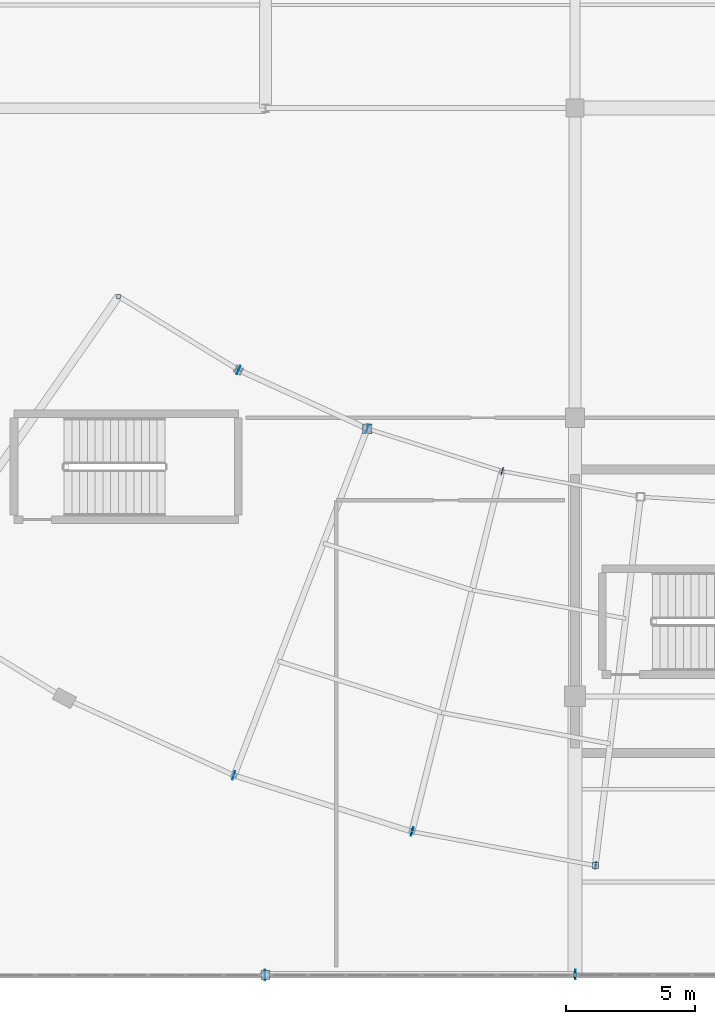
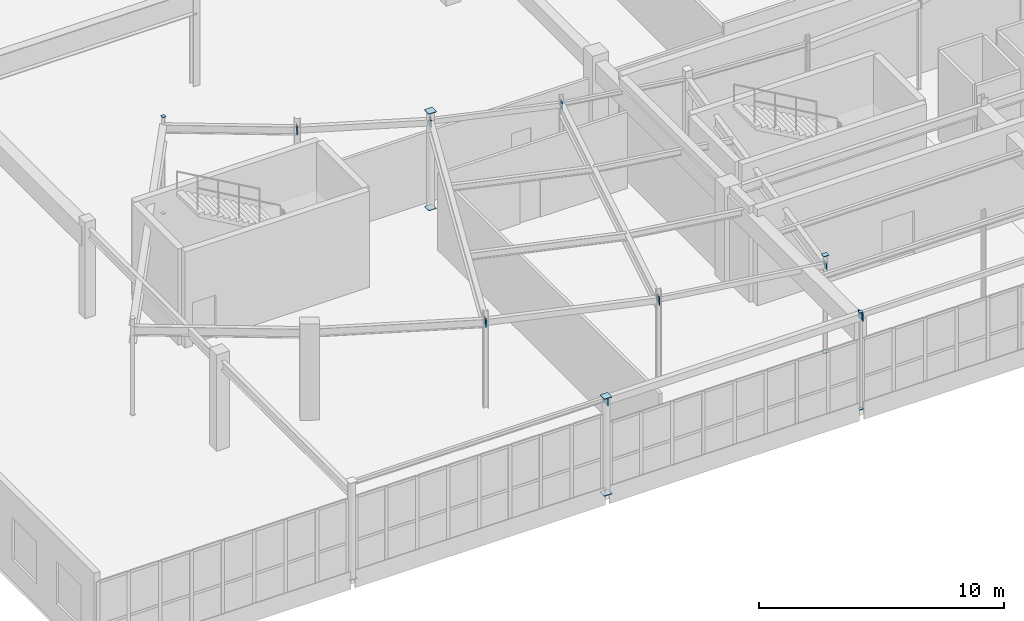
# One storey, part 131 of 186: 21 plates.
"""IFC4 building model written with IfcOpenShell, lengths in metres."""

import ifcopenshell
import ifcopenshell.guid

model = None  # the IFC model being written
_history = None  # IfcOwnerHistory: only IFC2X3 demands one
_inside = {}  # id of a spatial element -> (the spatial element, [elements in it])
_under = {}  # id of a project, library or spatial element -> (it, [spatial elements below it])
_declared = {}  # id of a project -> (the project, [libraries it declares])
_typed = {}  # id of a type object -> (the type object, [elements of that type])
_made_of = {}  # id of a material, layer set ... -> (it, [elements and type objects made of it])


def new_model(schema):
    """Start an empty IFC model of exactly this schema.

    Asked for "IFC4X3", IfcOpenShell would pick the latest addendum, in which some entities
    have other attributes; the version numbers below select the first issue.
    IFC2X3 requires an IfcOwnerHistory on every rooted entity: one is made here for all.
    """
    global model, _history
    if schema == "IFC4X3":
        model = ifcopenshell.file(schema_version=(4, 3, 0, 0))
    else:
        model = ifcopenshell.file(schema=schema)
    _inside.clear()
    _under.clear()
    _declared.clear()
    _typed.clear()
    _made_of.clear()
    _history = None
    if model.schema == "IFC2X3":
        org = make("IfcOrganization", Name="unknown")
        user = make(
            "IfcPersonAndOrganization",
            ThePerson=make("IfcPerson", FamilyName="unknown"),
            TheOrganization=org,
        )
        app = make(
            "IfcApplication",
            ApplicationDeveloper=org,
            Version="unknown",
            ApplicationFullName="unknown",
            ApplicationIdentifier="unknown",
        )
        _history = make(
            "IfcOwnerHistory",
            OwningUser=user,
            OwningApplication=app,
            ChangeAction="ADDED",
            CreationDate=0,
        )
    return model


def make(cls, **values):
    """One entity of the class cls with the attributes given. An attribute that is None is left unset."""
    return model.create_entity(
        cls, **{name: value for name, value in values.items() if value is not None}
    )


def rooted(cls, **values):
    """An entity with a GlobalId (a new one), such as an element, a storey or a relation."""
    return make(cls, GlobalId=ifcopenshell.guid.new(), OwnerHistory=_history, **values)


def si_unit(unit_type, name, prefix=None):
    """IfcSIUnit, for example si_unit("LENGTHUNIT", "METRE", prefix="MILLI")."""
    return make("IfcSIUnit", UnitType=unit_type, Prefix=prefix, Name=name)


def assignment(units):
    """IfcUnitAssignment: the units of a project."""
    return None if units is None else make("IfcUnitAssignment", Units=units)


def point(xyz):
    """IfcCartesianPoint."""
    return None if xyz is None else make("IfcCartesianPoint", Coordinates=xyz)


def direction(xyz):
    """IfcDirection."""
    return None if xyz is None else make("IfcDirection", DirectionRatios=xyz)


def frame(location, z_axis=None, x_axis=None):
    """IfcAxis2Placement3D, a coordinate frame: its origin and axes. An axis left out is left unset."""
    return make(
        "IfcAxis2Placement3D",
        Location=point(location),
        Axis=direction(z_axis),
        RefDirection=direction(x_axis),
    )


def frame_2d(location, x_axis=None):
    """IfcAxis2Placement2D, a coordinate frame in the plane: its origin and x axis."""
    return make(
        "IfcAxis2Placement2D", Location=point(location), RefDirection=direction(x_axis)
    )


def origin():
    """The frame at (0, 0, 0) with its axes left unset."""
    return frame((0.0, 0.0, 0.0))


def origin_2d():
    """The frame at (0, 0) in the plane with its x axis left unset."""
    return frame_2d((0.0, 0.0))


def place(relative_to, where):
    """IfcLocalPlacement: puts the frame where relative to a parent placement (None: the world)."""
    return make(
        "IfcLocalPlacement", PlacementRelTo=relative_to, RelativePlacement=where
    )


def context(
    kind, dimensions, precision=None, world=None, true_north=None, identifier=None
):
    """IfcGeometricRepresentationContext, for example the 3D "Model" context."""
    return make(
        "IfcGeometricRepresentationContext",
        ContextIdentifier=identifier,
        ContextType=kind,
        CoordinateSpaceDimension=dimensions,
        Precision=precision,
        WorldCoordinateSystem=world,
        TrueNorth=true_north,
    )


def subcontext(parent, identifier, kind, view, scale=None):
    """IfcGeometricRepresentationSubContext, for example "Body" below "Model"."""
    return make(
        "IfcGeometricRepresentationSubContext",
        ContextIdentifier=identifier,
        ContextType=kind,
        ParentContext=parent,
        TargetScale=scale,
        TargetView=view,
    )


def project(units=None, contexts=None):
    """IfcProject with its units and contexts."""
    return rooted(
        "IfcProject",
        Name="project",
        RepresentationContexts=contexts,
        UnitsInContext=assignment(units),
    )


def spatial(cls, under=None, at=None, **own):
    """A site, building, storey or space (cls), placed at a placement, below another one or the project."""
    s = rooted(cls, ObjectPlacement=at, **own)
    if under is not None:
        _under.setdefault(under.id(), (under, []))[1].append(s)
    return s


def profile(cls, at=None, kind="AREA", **sizes):
    """A parametric profile (cls). Its sizes go by their IFC names, for example OverallWidth=200.0."""
    return make(cls, ProfileType=kind, Position=at, **sizes)


def rectangle(**sizes):
    """IfcRectangleProfileDef."""
    return profile("IfcRectangleProfileDef", **sizes)


def extrude(swept, where, along, depth):
    """IfcExtrudedAreaSolid: the profile swept, set in the frame where, extruded along a direction by depth."""
    return make(
        "IfcExtrudedAreaSolid",
        SweptArea=swept,
        Position=where,
        ExtrudedDirection=direction(along),
        Depth=depth,
    )


def shape(context_of_items, identifier, shape_type, items):
    """IfcShapeRepresentation: the items that make up one representation, for example the "Body"."""
    return make(
        "IfcShapeRepresentation",
        ContextOfItems=context_of_items,
        RepresentationIdentifier=identifier,
        RepresentationType=shape_type,
        Items=items,
    )


def material(Name=None, Category=None):
    """IfcMaterial."""
    return make("IfcMaterial", Name=Name, Category=Category)


def layer(
    of_material, thickness, ventilated=None, Name=None, Category=None, Priority=None
):
    """IfcMaterialLayer: one layer of a wall or slab, of a material (None: an air gap)."""
    return make(
        "IfcMaterialLayer",
        Material=of_material,
        LayerThickness=thickness,
        IsVentilated=ventilated,
        Name=Name,
        Category=Category,
        Priority=Priority,
    )


def layer_set(layers, Name=None):
    """IfcMaterialLayerSet."""
    return make("IfcMaterialLayerSet", MaterialLayers=layers, LayerSetName=Name)


def made_of(thing, what):
    """Note that an element or type object is made of a material, layer set ...; save() writes the relation."""
    if what is not None:
        _made_of.setdefault(what.id(), (what, []))[1].append(thing)
    return thing


def type_object(cls, material=None, **own):
    """A type object (cls), such as IfcWallType, which elements share."""
    return made_of(rooted(cls, **own), material)


def element(
    cls,
    number,
    at=None,
    inside=None,
    cuts=None,
    type_object=None,
    material=None,
    context=None,
    identifier="Body",
    shape_type=None,
    held_by="IfcProductDefinitionShape",
    body=None,
    shapes=None,
    **own,
):
    """One element of the class cls, such as IfcWall. Its Tag is "e" and its number.

    at: its placement. inside: the storey or other place that contains it. cuts: it is an
    opening in that element (IfcRelVoidsElement). A single representation is given by context,
    identifier, shape_type and body (its items); several are given by shapes. held_by: the class
    of the entity that holds the representations. save() writes the other relations.
    """
    e = rooted(cls, Tag="e%d" % number, ObjectPlacement=at, **own)
    if body is not None:
        shapes = [shape(context, identifier, shape_type, body)]
    if shapes is not None:
        e.Representation = make(held_by, Representations=shapes)
    if inside is not None:
        _inside.setdefault(inside.id(), (inside, []))[1].append(e)
    if cuts is not None:
        rooted(
            "IfcRelVoidsElement", RelatingBuildingElement=cuts, RelatedOpeningElement=e
        )
    if type_object is not None:
        _typed.setdefault(type_object.id(), (type_object, []))[1].append(e)
    return made_of(e, material)


def aggregate(whole, parts):
    """IfcRelAggregates: a whole, such as a stair, and the parts it consists of."""
    return rooted("IfcRelAggregates", RelatingObject=whole, RelatedObjects=parts)


def save(model, path):
    """Write the relations noted so far, then the file.

    IfcRelAggregates (storeys below a building ...), IfcRelContainedInSpatialStructure (elements
    in a storey), IfcRelDefinesByType, IfcRelAssociatesMaterial and IfcRelDeclares: one each for
    every whole, place, type object, material and project.
    """
    for whole, parts in _under.values():
        aggregate(whole, parts)
    for where, things in _inside.values():
        rooted(
            "IfcRelContainedInSpatialStructure",
            RelatedElements=things,
            RelatingStructure=where,
        )
    for kind, things in _typed.values():
        rooted("IfcRelDefinesByType", RelatedObjects=things, RelatingType=kind)
    for what, things in _made_of.values():
        rooted("IfcRelAssociatesMaterial", RelatedObjects=things, RelatingMaterial=what)
    for by, libraries in _declared.values():
        rooted("IfcRelDeclares", RelatingContext=by, RelatedDefinitions=libraries)
    model.write(path)


model = new_model("IFC4")

# Units and contexts
model_context = context("Model", 3, precision=1e-05, world=origin(), true_north=direction((0.0, 1.0)))
body_context = subcontext(model_context, "Body", "Model", "MODEL_VIEW")
ifc_project = project(units=[si_unit("LENGTHUNIT", "METRE"), si_unit("AREAUNIT", "SQUARE_METRE"), si_unit("VOLUMEUNIT", "CUBIC_METRE"), si_unit("PLANEANGLEUNIT", "RADIAN"), si_unit("MASSUNIT", "GRAM", prefix="KILO")], contexts=[model_context])

# Site, building, storey
site_placement = place(None, origin())
site = spatial("IfcSite", under=ifc_project, at=site_placement, CompositionType="ELEMENT")
building_placement = place(site_placement, origin())
building = spatial("IfcBuilding", under=site, at=building_placement, Name="Tarnwether General Hospital", CompositionType="ELEMENT")
storey_placement = place(building_placement, frame((0.0, 0.0, 9.60009765625)))
storey = spatial("IfcBuildingStorey", under=building, at=storey_placement, Name="L02", CompositionType="ELEMENT", Elevation=9.60009765625)

# Plates
ifc_material = material(Name="Steel Grade 350 (350 MPa)", Category="steel")
ifc_layer = layer(ifc_material, 0.02490234375)
ifc_layer_set = layer_set([ifc_layer], Name="Steel Grade 350 (350 MPa)")
plate_type = type_object("IfcPlateType", Name="PT-GUS2", PredefinedType="USERDEFINED", material=ifc_layer_set)
for number, where, z_axis, x_axis, name in (
    (1, (72.0, 0.0, -0.025146484375), (0.0, 0.0, 1.0), (1.0, 0.0, 0.0), "Hollow Section Welded End Cap Plate 0125"),
    (2, (72.0, 0.0, 4.800048828125), (0.0, 0.0, 1.0), (1.0, 0.0, 0.0), "Hollow Section Welded End Cap Plate 0126"),
):
    element("IfcPlate", number, at=place(storey_placement, frame(where, z_axis=z_axis, x_axis=x_axis)), inside=storey, type_object=plate_type, Name=name, ObjectType="GUSSET", PredefinedType="USERDEFINED", context=body_context, shape_type="SweptSolid", body=[
        extrude(rectangle(XDim=0.364013671875, YDim=0.364013671875, at=origin_2d()), origin(), (0.0, 0.0, 1.0), 0.02490234375),
    ])
for number, where, z_axis, x_axis, name in (
    (3, (84.0, 0.0, -0.025146484375), (0.0, 0.0, 1.0), (1.0, 0.0, 0.0), "Hollow Section Welded End Cap Plate 0147"),
    (4, (84.0, 0.0, 4.800048828125), (0.0, 0.0, 1.0), (1.0, 0.0, 0.0), "Hollow Section Welded End Cap Plate 0148"),
    (5, (66.303955078125, 26.302001953125, -0.025146484375), (0.0, 0.0, 1.0), (1.0, 0.0, 0.0), "Hollow Section Welded End Cap Plate 0621"),
    (6, (66.303955078125, 26.302001953125, 4.800048828125), (0.0, 0.0, 1.0), (1.0, 0.0, 0.0), "Hollow Section Welded End Cap Plate 0622"),
):
    element("IfcPlate", number, at=place(storey_placement, frame(where, z_axis=z_axis, x_axis=x_axis)), inside=storey, type_object=plate_type, Name=name, ObjectType="GUSSET", PredefinedType="USERDEFINED", context=body_context, shape_type="SweptSolid", body=[
        extrude(rectangle(XDim=0.1650390625, YDim=0.1650390625, at=origin_2d()), origin(), (0.0, 0.0, 1.0), 0.02490234375),
    ])
for number, where, z_axis, x_axis, name in (
    (7, (75.945068359375, 21.176025390625, -0.025146484375), (0.0, 0.0, 1.0), (1.0, 0.0, 0.0), "Hollow Section Welded End Cap Plate 0643"),
    (8, (75.945068359375, 21.176025390625, 4.800048828125), (0.0, 0.0, 1.0), (1.0, 0.0, 0.0), "Hollow Section Welded End Cap Plate 0644"),
):
    element("IfcPlate", number, at=place(storey_placement, frame(where, z_axis=z_axis, x_axis=x_axis)), inside=storey, type_object=plate_type, Name=name, ObjectType="GUSSET", PredefinedType="USERDEFINED", context=body_context, shape_type="SweptSolid", body=[
        extrude(rectangle(XDim=0.364013671875, YDim=0.364013671875, at=origin_2d()), origin(), (0.0, 0.0, 1.0), 0.02490234375),
    ])
for number, where, z_axis, x_axis, name in (
    (9, (84.784912109375, 4.240966796875, -0.025146484375), (0.0, 0.0, 1.0), (1.0, 0.0, 0.0), "Hollow Section Welded End Cap Plate 0663"),
    (10, (84.784912109375, 4.240966796875, 4.800048828125), (0.0, 0.0, 1.0), (1.0, 0.0, 0.0), "Hollow Section Welded End Cap Plate 0664"),
):
    element("IfcPlate", number, at=place(storey_placement, frame(where, z_axis=z_axis, x_axis=x_axis)), inside=storey, type_object=plate_type, Name=name, ObjectType="GUSSET", PredefinedType="USERDEFINED", context=body_context, shape_type="SweptSolid", body=[
        extrude(rectangle(XDim=0.23388671875, YDim=0.23388671875, at=origin_2d()), origin(), (0.0, 0.0, 1.0), 0.02490234375),
    ])
for number, where, z_axis, x_axis, name in (
    (11, (71.987548828125, 0.0, 4.43017578125), (0.0, 0.0, 1.0), (1.0, 0.0, 0.0), "Hollow Section Welded End Cap Plate 0953"),
    (12, (84.012451171875, 0.0, 4.43017578125), (0.0, 0.0, 1.0), (1.0, 0.0, 0.0), "Hollow Section Welded End Cap Plate 0954"),
):
    element("IfcPlate", number, at=place(storey_placement, frame(where, z_axis=z_axis, x_axis=x_axis)), inside=storey, type_object=plate_type, Name=name, ObjectType="GUSSET", PredefinedType="USERDEFINED", context=body_context, shape_type="SweptSolid", body=[
        extrude(rectangle(XDim=0.02490234375, YDim=0.389892578125, at=origin_2d()), origin(), (0.0, 0.0, 1.0), 0.389892578125),
    ])
plate_placement = place(storey_placement, frame((83.987548828125, 0.0, 4.52978515625), z_axis=(0.0, 0.0, 1.0), x_axis=(1.0, 0.0, 0.0)))
element("IfcPlate", 13, at=plate_placement, inside=storey, type_object=plate_type, Name="Hollow Section Welded End Cap Plate 0955", ObjectType="GUSSET", PredefinedType="USERDEFINED", context=body_context, shape_type="SweptSolid", body=[
    extrude(rectangle(XDim=0.02490234375, YDim=0.2900390625, at=origin_2d()), origin(), (0.0, 0.0, 1.0), 0.2900390625),
])
for number, where, z_axis, x_axis, name in (
    (14, (70.95654296875, 23.44921875, 4.10986328125), (0.0, 0.0, 1.0), (0.9099685085, -0.414677360773, 0.0), "Hollow Section Welded End Cap Plate 1089"),
    (15, (75.956298828125, 21.1708984375, 4.10986328125), (0.0, 0.0, 1.0), (0.9099685085, -0.414677360773, 0.0), "Hollow Section Welded End Cap Plate 1090"),
    (16, (70.773193359375, 7.73583984375, 4.10986328125), (0.0, 0.0, 1.0), (0.953690705585, -0.300789025864, 0.0), "Hollow Section Welded End Cap Plate 1091"),
    (17, (77.68994140625, 5.55419921875, 4.10986328125), (0.0, 0.0, 1.0), (0.953690705585, -0.300789025864, 0.0), "Hollow Section Welded End Cap Plate 1092"),
):
    element("IfcPlate", number, at=place(storey_placement, frame(where, z_axis=z_axis, x_axis=x_axis)), inside=storey, type_object=plate_type, Name=name, ObjectType="GUSSET", PredefinedType="USERDEFINED", context=body_context, shape_type="SweptSolid", body=[
        extrude(rectangle(XDim=0.02490234375, YDim=0.340087890625, at=origin_2d()), origin(), (0.0, 0.0, 1.0), 0.340087890625),
    ])
for number, where, z_axis, x_axis, name in (
    (18, (75.93310546875, 21.1796875, 4.159912109375), (0.0, 0.0, 1.0), (0.953711702297, -0.300722444959, 0.0), "Hollow Section Welded End Cap Plate 1093"),
    (19, (81.173828125, 19.527099609375, 4.159912109375), (0.0, 0.0, 1.0), (0.953711702297, -0.300722444959, 0.0), "Hollow Section Welded End Cap Plate 1094"),
    (20, (77.665771484375, 5.560302734375, 4.159912109375), (0.0, 0.0, 1.0), (0.983261268185, -0.18220120331, 0.0), "Hollow Section Welded End Cap Plate 1095"),
    (21, (84.79736328125, 4.23876953125, 4.159912109375), (0.0, 0.0, 1.0), (0.983261268185, -0.18220120331, 0.0), "Hollow Section Welded End Cap Plate 1096"),
):
    element("IfcPlate", number, at=place(storey_placement, frame(where, z_axis=z_axis, x_axis=x_axis)), inside=storey, type_object=plate_type, Name=name, ObjectType="GUSSET", PredefinedType="USERDEFINED", context=body_context, shape_type="SweptSolid", body=[
        extrude(rectangle(XDim=0.02490234375, YDim=0.2900390625, at=origin_2d()), origin(), (0.0, 0.0, 1.0), 0.2900390625),
    ])

save(model, "model.ifc")
